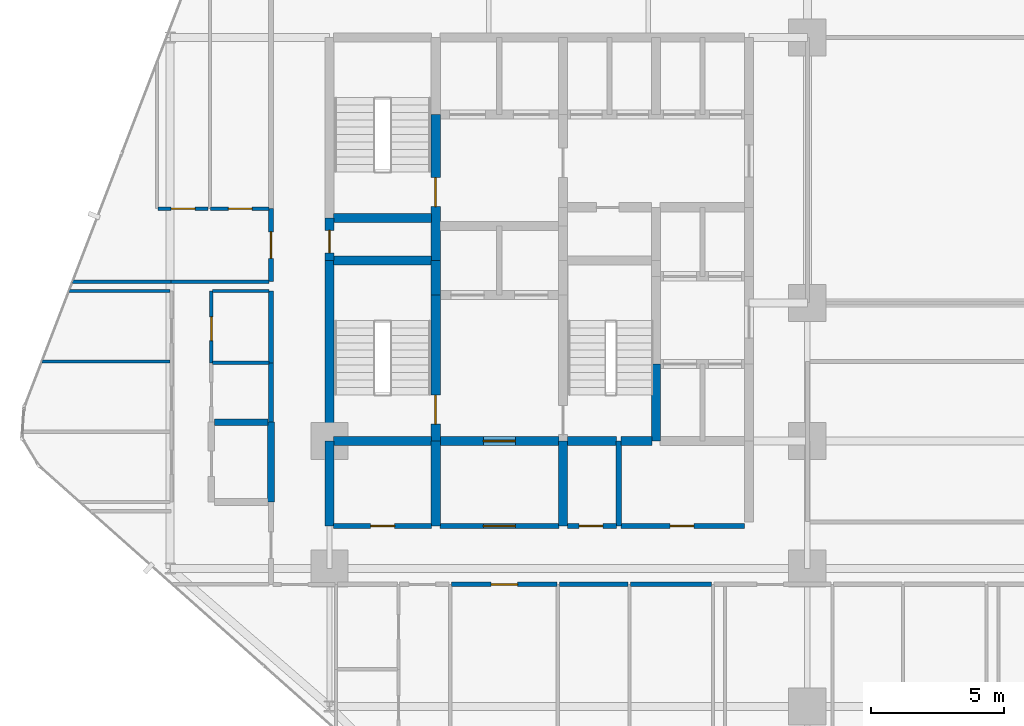
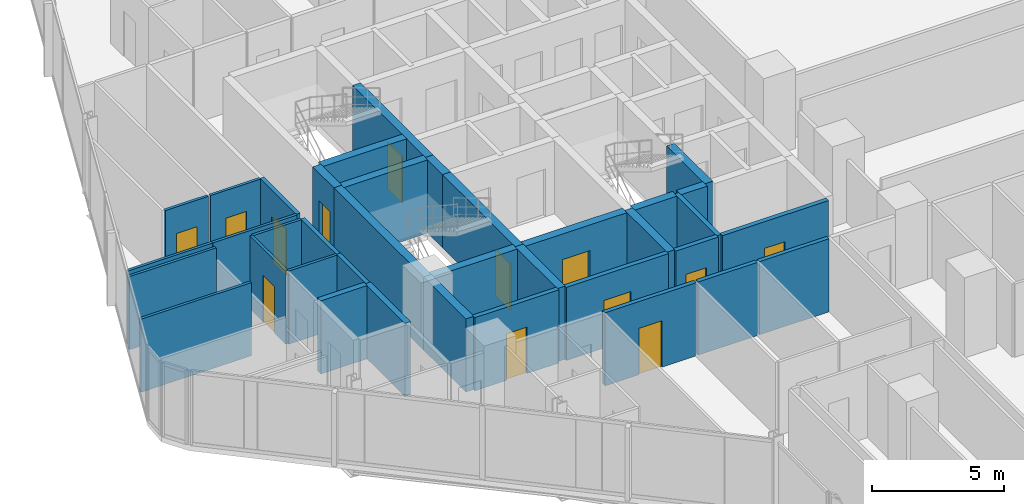
# One storey, part 27 of 34: 37 walls, 13 doors, 13 openings.
"""IFC4 building model written with IfcOpenShell, lengths in metres."""

from ifc_helpers import new_model, si_unit, direction, frame, frame_2d, origin, place, context, subcontext, project, spatial, rectangle, extrude, material, layer, layer_set, type_object, element, fill, save


model = new_model("IFC4")

# Units and contexts
model_context = context("Model", 3, precision=1e-05, world=origin(), true_north=direction((0.0, 1.0)))
body_context = subcontext(model_context, "Body", "Model", "MODEL_VIEW")
ifc_project = project(units=[si_unit("LENGTHUNIT", "METRE"), si_unit("AREAUNIT", "SQUARE_METRE"), si_unit("VOLUMEUNIT", "CUBIC_METRE"), si_unit("PLANEANGLEUNIT", "RADIAN"), si_unit("MASSUNIT", "GRAM", prefix="KILO")], contexts=[model_context])

# Site, building, storey
site_placement = place(None, origin())
site = spatial("IfcSite", under=ifc_project, at=site_placement, CompositionType="ELEMENT")
building_placement = place(site_placement, origin())
building = spatial("IfcBuilding", under=site, at=building_placement, Name="Keshet Zoharim Tower", CompositionType="ELEMENT")
storey_placement = place(building_placement, frame((0.0, 0.0, 31.39990234375)))
storey = spatial("IfcBuildingStorey", under=building, at=storey_placement, Name="L06", CompositionType="ELEMENT", Elevation=31.39990234375)

# Walls
ifc_material_1 = material(Name="Concrete C60/75", Category="concrete")
ifc_layer_1 = layer(ifc_material_1, 0.35009765625)
ifc_layer_set_1 = layer_set([ifc_layer_1], Name="Concrete C60/75")
wall_type_1 = type_object("IfcWallType", Name="WL-CORE-350", PredefinedType="SHEAR", material=ifc_layer_set_1)
wall_1_placement = place(storey_placement, frame((15.0, 19.5, 0.0), z_axis=(0.0, 0.0, 1.0), x_axis=(0.0, 1.0, 0.0)))
element("IfcWall", 1, at=wall_1_placement, inside=storey, type_object=wall_type_1, Name="L06 Core Shear Wall 015", PredefinedType="SHEAR", context=body_context, shape_type="SweptSolid", body=[
    extrude(rectangle(XDim=3.199951171875, YDim=0.35009765625, at=frame_2d((1.60009765625, 0.0))), origin(), (0.0, 0.0, 1.0), 3.385009765625),
])
wall_2_placement = place(storey_placement, frame((15.0, 22.699951171875, 0.0), z_axis=(0.0, 0.0, 1.0), x_axis=(0.0, 1.0, 0.0)))
element("IfcWall", 2, at=wall_2_placement, inside=storey, type_object=wall_type_1, Name="L06 Core Shear Wall 016", PredefinedType="SHEAR", context=body_context, shape_type="SweptSolid", body=[
    extrude(rectangle(XDim=6.800048828125, YDim=0.35009765625, at=frame_2d((3.39990234375, 0.0))), origin(), (0.0, 0.0, 1.0), 3.385009765625),
])

# Wall, opening, door
wall_3_placement = place(storey_placement, frame((15.0, 29.5, 0.0), z_axis=(0.0, 0.0, 1.0), x_axis=(0.0, 1.0, 0.0)))
wall_3 = element("IfcWall", 3, at=wall_3_placement, inside=storey, type_object=wall_type_1, Name="L06 Core Shear Wall 017", PredefinedType="SHEAR", context=body_context, shape_type="SweptSolid", body=[
    extrude(rectangle(XDim=1.60009765625, YDim=0.35009765625, at=frame_2d((0.800048828125, 0.0))), origin(), (0.0, 0.0, 1.0), 3.385009765625),
])
opening_1_placement = place(wall_3_placement, frame((0.287109375, 0.0, 0.0)))
opening_1 = element("IfcOpeningElement", 4, at=opening_1_placement, cuts=wall_3, Name="Opening D-RS85", PredefinedType="OPENING", context=body_context, shape_type="SweptSolid", body=[
    extrude(rectangle(XDim=0.85009765625, YDim=2.10009765625, at=frame_2d((0.425048828125, 1.050048828125))), frame((0.0, 0.18505859375, 0.0), z_axis=(0.0, -1.0, 0.0), x_axis=(1.0, 0.0, 0.0)), (0.0, 0.0, 1.0), 0.3701171875),
])
ifc_material_2 = material(Name="Hardwood Timber", Category="wood")
door_type_1 = type_object("IfcDoorType", Name="DR-RIS-085", OperationType="NOTDEFINED", PredefinedType="DOOR", material=ifc_material_2)
door_1_placement = place(opening_1_placement, origin())
door_1 = element("IfcDoor", 5, at=door_1_placement, inside=storey, type_object=door_type_1, Name="L06 Electrical Riser Access Cupboard Door", OperationType="SINGLE_SWING_RIGHT", OverallHeight=2.10009765625, OverallWidth=0.85009765625, PredefinedType="DOOR", context=body_context, shape_type="SweptSolid", body=[
    extrude(rectangle(XDim=0.85009765625, YDim=2.10009765625, at=frame_2d((0.425048828125, 1.050048828125))), frame((0.0, 0.02490234375, 0.0), z_axis=(0.0, -1.0, 0.0), x_axis=(1.0, 0.0, 0.0)), (0.0, 0.0, 1.0), 0.050048828125),
])
fill(opening_1, door_1)

# Wall
wall_4_placement = place(storey_placement, frame((19.0, 19.5, 0.0), z_axis=(0.0, 0.0, 1.0), x_axis=(0.0, 1.0, 0.0)))
element("IfcWall", 6, at=wall_4_placement, inside=storey, type_object=wall_type_1, Name="L06 Core Shear Wall 025", PredefinedType="SHEAR", context=body_context, shape_type="SweptSolid", body=[
    extrude(rectangle(XDim=3.199951171875, YDim=0.35009765625, at=frame_2d((1.60009765625, 0.0))), origin(), (0.0, 0.0, 1.0), 3.385009765625),
])

# Wall, opening, door
wall_5_placement = place(storey_placement, frame((19.0, 22.699951171875, 0.0), z_axis=(0.0, 0.0, 1.0), x_axis=(0.0, 1.0, 0.0)))
wall_5 = element("IfcWall", 7, at=wall_5_placement, inside=storey, type_object=wall_type_1, Name="L06 Core Shear Wall 026", PredefinedType="SHEAR", context=body_context, shape_type="SweptSolid", body=[
    extrude(rectangle(XDim=5.5, YDim=0.35009765625, at=frame_2d((2.75, 0.0))), origin(), (0.0, 0.0, 1.0), 3.385009765625),
])
opening_2_placement = place(wall_5_placement, frame((0.631103515625, 0.0, 0.0)))
opening_2 = element("IfcOpeningElement", 8, at=opening_2_placement, cuts=wall_5, Name="Opening D-F611", PredefinedType="OPENING", context=body_context, shape_type="SweptSolid", body=[
    extrude(rectangle(XDim=1.10009765625, YDim=2.14990234375, at=frame_2d((0.550048828125, 1.074951171875))), frame((0.0, 0.18505859375, 0.0), z_axis=(0.0, -1.0, 0.0), x_axis=(1.0, 0.0, 0.0)), (0.0, 0.0, 1.0), 0.3701171875),
])
door_type_2 = type_object("IfcDoorType", Name="DR-FD60-110", OperationType="NOTDEFINED", PredefinedType="DOOR", material=ifc_material_2)
door_2_placement = place(opening_2_placement, origin())
door_2 = element("IfcDoor", 9, at=door_2_placement, inside=storey, type_object=door_type_2, Name="L06 Exit Stair ST-01 Fire Door", OperationType="SINGLE_SWING_LEFT", OverallHeight=2.14990234375, OverallWidth=1.10009765625, PredefinedType="DOOR", context=body_context, shape_type="SweptSolid", body=[
    extrude(rectangle(XDim=1.10009765625, YDim=2.14990234375, at=frame_2d((0.550048828125, 1.074951171875))), frame((0.0, 0.02490234375, 0.0), z_axis=(0.0, -1.0, 0.0), x_axis=(1.0, 0.0, 0.0)), (0.0, 0.0, 1.0), 0.050048828125),
])
fill(opening_2, door_2)

# Wall
wall_6_placement = place(storey_placement, frame((19.0, 28.199951171875, 0.0), z_axis=(0.0, 0.0, 1.0), x_axis=(0.0, 1.0, 0.0)))
element("IfcWall", 10, at=wall_6_placement, inside=storey, type_object=wall_type_1, Name="L06 Core Shear Wall 027", PredefinedType="SHEAR", context=body_context, shape_type="SweptSolid", body=[
    extrude(rectangle(XDim=1.300048828125, YDim=0.35009765625, at=frame_2d((0.64990234375, 0.0))), origin(), (0.0, 0.0, 1.0), 3.385009765625),
])

# Wall, opening, door
wall_7_placement = place(storey_placement, frame((19.0, 29.5, 0.0), z_axis=(0.0, 0.0, 1.0), x_axis=(0.0, 1.0, 0.0)))
wall_7 = element("IfcWall", 11, at=wall_7_placement, inside=storey, type_object=wall_type_1, Name="L06 Core Shear Wall 028", PredefinedType="SHEAR", context=body_context, shape_type="SweptSolid", body=[
    extrude(rectangle(XDim=5.5, YDim=0.35009765625, at=frame_2d((2.75, 0.0))), origin(), (0.0, 0.0, 1.0), 3.385009765625),
])
opening_3_placement = place(wall_7_placement, frame((2.02490234375, 0.0, 0.0)))
opening_3 = element("IfcOpeningElement", 12, at=opening_3_placement, cuts=wall_7, Name="Opening D-F611", PredefinedType="OPENING", context=body_context, shape_type="SweptSolid", body=[
    extrude(rectangle(XDim=1.10009765625, YDim=2.14990234375, at=frame_2d((0.550048828125, 1.074951171875))), frame((0.0, 0.18505859375, 0.0), z_axis=(0.0, -1.0, 0.0), x_axis=(1.0, 0.0, 0.0)), (0.0, 0.0, 1.0), 0.3701171875),
])
door_3_placement = place(opening_3_placement, origin())
door_3 = element("IfcDoor", 13, at=door_3_placement, inside=storey, type_object=door_type_2, Name="L06 Exit Stair ST-02 Fire Door", OperationType="SINGLE_SWING_RIGHT", OverallHeight=2.14990234375, OverallWidth=1.10009765625, PredefinedType="DOOR", context=body_context, shape_type="SweptSolid", body=[
    extrude(rectangle(XDim=1.10009765625, YDim=2.14990234375, at=frame_2d((0.550048828125, 1.074951171875))), frame((0.0, 0.02490234375, 0.0), z_axis=(0.0, -1.0, 0.0), x_axis=(1.0, 0.0, 0.0)), (0.0, 0.0, 1.0), 0.050048828125),
])
fill(opening_3, door_3)

# Walls
wall_8_placement = place(storey_placement, frame((23.800048828125, 19.5, 0.0), z_axis=(0.0, 0.0, 1.0), x_axis=(0.0, 1.0, 0.0)))
element("IfcWall", 14, at=wall_8_placement, inside=storey, type_object=wall_type_1, Name="L06 Core Shear Wall 040", PredefinedType="SHEAR", context=body_context, shape_type="SweptSolid", body=[
    extrude(rectangle(XDim=3.199951171875, YDim=0.35009765625, at=frame_2d((1.60009765625, 0.0))), origin(), (0.0, 0.0, 1.0), 3.385009765625),
])
wall_9_placement = place(storey_placement, frame((27.300048828125, 22.699951171875, 0.0), z_axis=(0.0, 0.0, 1.0), x_axis=(0.0, 1.0, 0.0)))
element("IfcWall", 15, at=wall_9_placement, inside=storey, type_object=wall_type_1, Name="L06 Core Shear Wall 051", PredefinedType="SHEAR", context=body_context, shape_type="SweptSolid", body=[
    extrude(rectangle(XDim=2.900146484375, YDim=0.35009765625, at=frame_2d((1.4501953125, 0.0))), origin(), (0.0, 0.0, 1.0), 3.385009765625),
])
wall_10_placement = place(storey_placement, frame((15.159912109375, 22.699951171875, 0.0), z_axis=(0.0, 0.0, 1.0), x_axis=(1.0, 0.0, 0.0)))
element("IfcWall", 16, at=wall_10_placement, inside=storey, type_object=wall_type_1, Name="L06 Core Shear Wall 171", PredefinedType="SHEAR", context=body_context, shape_type="SweptSolid", body=[
    extrude(rectangle(XDim=3.68017578125, YDim=0.35009765625, at=frame_2d((1.840087890625, 0.0))), origin(), (0.0, 0.0, 1.0), 3.385009765625),
])

# Wall, opening, door
wall_11_placement = place(storey_placement, frame((19.159912109375, 22.699951171875, 0.0), z_axis=(0.0, 0.0, 1.0), x_axis=(1.0, 0.0, 0.0)))
wall_11 = element("IfcWall", 17, at=wall_11_placement, inside=storey, type_object=wall_type_1, Name="L06 Core Shear Wall 172", PredefinedType="SHEAR", context=body_context, shape_type="SweptSolid", body=[
    extrude(rectangle(XDim=4.47998046875, YDim=0.35009765625, at=frame_2d((2.239990234375, 0.0))), origin(), (0.0, 0.0, 1.0), 3.385009765625),
])
opening_4_placement = place(wall_11_placement, frame((1.639892578125, 0.0, 0.0)))
opening_4 = element("IfcOpeningElement", 18, at=opening_4_placement, cuts=wall_11, Name="Opening D-F612", PredefinedType="OPENING", context=body_context, shape_type="SweptSolid", body=[
    extrude(rectangle(XDim=1.199951171875, YDim=2.199951171875, at=frame_2d((0.60009765625, 1.10009765625))), frame((0.0, 0.18505859375, 0.0), z_axis=(0.0, -1.0, 0.0), x_axis=(1.0, 0.0, 0.0)), (0.0, 0.0, 1.0), 0.3701171875),
])
door_type_3 = type_object("IfcDoorType", Name="DR-FD60-120", OperationType="NOTDEFINED", PredefinedType="DOOR", material=ifc_material_2)
door_4_placement = place(opening_4_placement, origin())
door_4 = element("IfcDoor", 19, at=door_4_placement, inside=storey, type_object=door_type_3, Name="L06 South Core Lobby Fire Door", OperationType="SINGLE_SWING_RIGHT", OverallHeight=2.199951171875, OverallWidth=1.199951171875, PredefinedType="DOOR", context=body_context, shape_type="SweptSolid", body=[
    extrude(rectangle(XDim=1.199951171875, YDim=2.199951171875, at=frame_2d((0.60009765625, 1.10009765625))), frame((0.0, 0.02490234375, 0.0), z_axis=(0.0, -1.0, 0.0), x_axis=(1.0, 0.0, 0.0)), (0.0, 0.0, 1.0), 0.050048828125),
])
fill(opening_4, door_4)

# Walls
wall_12_placement = place(storey_placement, frame((23.9599609375, 22.699951171875, 0.0), z_axis=(0.0, 0.0, 1.0), x_axis=(1.0, 0.0, 0.0)))
element("IfcWall", 20, at=wall_12_placement, inside=storey, type_object=wall_type_1, Name="L06 Core Shear Wall 173", PredefinedType="SHEAR", context=body_context, shape_type="SweptSolid", body=[
    extrude(rectangle(XDim=1.85498046875, YDim=0.35009765625, at=frame_2d((0.927490234375, 0.0))), origin(), (0.0, 0.0, 1.0), 3.385009765625),
])
wall_13_placement = place(storey_placement, frame((25.985107421875, 22.699951171875, 0.0), z_axis=(0.0, 0.0, 1.0), x_axis=(1.0, 0.0, 0.0)))
element("IfcWall", 21, at=wall_13_placement, inside=storey, type_object=wall_type_1, Name="L06 Core Shear Wall 174", PredefinedType="SHEAR", context=body_context, shape_type="SweptSolid", body=[
    extrude(rectangle(XDim=1.15478515625, YDim=0.35009765625, at=frame_2d((0.577392578125, 0.0))), origin(), (0.0, 0.0, 1.0), 3.385009765625),
])
for number, where, z_axis, x_axis, name in (
    (22, (15.159912109375, 29.5, 0.0), (0.0, 0.0, 1.0), (1.0, 0.0, 0.0), "L06 Core Shear Wall 189"),
    (23, (15.159912109375, 31.10009765625, 0.0), (0.0, 0.0, 1.0), (1.0, 0.0, 0.0), "L06 Core Shear Wall 192"),
):
    element("IfcWall", number, at=place(storey_placement, frame(where, z_axis=z_axis, x_axis=x_axis)), inside=storey, type_object=wall_type_1, Name=name, PredefinedType="SHEAR", context=body_context, shape_type="SweptSolid", body=[
        extrude(rectangle(XDim=3.68017578125, YDim=0.35009765625, at=frame_2d((1.840087890625, 0.0))), origin(), (0.0, 0.0, 1.0), 3.385009765625),
    ])
ifc_material_3 = material(Name="Gypsum Plasterboard", Category="gypsum")
ifc_layer_2 = layer(ifc_material_3, 0.179931640625)
ifc_layer_set_2 = layer_set([ifc_layer_2], Name="Gypsum Plasterboard")
wall_type_2 = type_object("IfcWallType", Name="WL-CORR-180", PredefinedType="STANDARD", material=ifc_layer_set_2)
wall_14_placement = place(storey_placement, frame((12.800048828125, 23.4208984375, 0.0), z_axis=(0.0, 0.0, 1.0), x_axis=(0.0, 1.0, 0.0)))
element("IfcWall", 24, at=wall_14_placement, inside=storey, type_object=wall_type_2, Name="L06 Interior Wall 009", PredefinedType="STANDARD", context=body_context, shape_type="SweptSolid", body=[
    extrude(rectangle(XDim=2.22607421875, YDim=0.179931640625, at=frame_2d((1.113037109375, 0.0))), origin(), (0.0, 0.0, 1.0), 3.385009765625),
])
wall_15_placement = place(storey_placement, frame((12.800048828125, 25.64697265625, 0.0), z_axis=(0.0, 0.0, 1.0), x_axis=(0.0, 1.0, 0.0)))
element("IfcWall", 25, at=wall_15_placement, inside=storey, type_object=wall_type_2, Name="L06 Interior Wall 010", PredefinedType="STANDARD", context=body_context, shape_type="SweptSolid", body=[
    extrude(rectangle(XDim=2.703125, YDim=0.179931640625, at=frame_2d((1.3515625, 0.0))), origin(), (0.0, 0.0, 1.0), 3.385009765625),
])

# Wall, opening, door
wall_16_placement = place(storey_placement, frame((12.800048828125, 28.699951171875, 0.0), z_axis=(0.0, 0.0, 1.0), x_axis=(0.0, 1.0, 0.0)))
wall_16 = element("IfcWall", 26, at=wall_16_placement, inside=storey, type_object=wall_type_2, Name="L06 Interior Wall 011", PredefinedType="STANDARD", context=body_context, shape_type="SweptSolid", body=[
    extrude(rectangle(XDim=2.75, YDim=0.179931640625, at=frame_2d((1.375, 0.0))), origin(), (0.0, 0.0, 1.0), 3.385009765625),
])
opening_5_placement = place(wall_16_placement, frame((0.875, 0.0, 0.0)))
opening_5 = element("IfcOpeningElement", 27, at=opening_5_placement, cuts=wall_16, Name="Opening D-F310", PredefinedType="OPENING", context=body_context, shape_type="SweptSolid", body=[
    extrude(rectangle(XDim=1.0, YDim=2.14990234375, at=frame_2d((0.5, 1.074951171875))), frame((0.0, 0.10009765625, 0.0), z_axis=(0.0, -1.0, 0.0), x_axis=(1.0, 0.0, 0.0)), (0.0, 0.0, 1.0), 0.199951171875),
])
door_type_4 = type_object("IfcDoorType", Name="DR-FD30-100", OperationType="NOTDEFINED", PredefinedType="DOOR", material=ifc_material_2)
door_5_placement = place(opening_5_placement, origin())
door_5 = element("IfcDoor", 28, at=door_5_placement, inside=storey, type_object=door_type_4, Name="Apartment 0612 Entrance Door", OperationType="SINGLE_SWING_LEFT", OverallHeight=2.14990234375, OverallWidth=1.0, PredefinedType="DOOR", context=body_context, shape_type="SweptSolid", body=[
    extrude(rectangle(XDim=1.0, YDim=2.14990234375, at=frame_2d((0.5, 1.074951171875))), frame((0.0, 0.02490234375, 0.0), z_axis=(0.0, -1.0, 0.0), x_axis=(1.0, 0.0, 0.0)), (0.0, 0.0, 1.0), 0.050048828125),
])
fill(opening_5, door_5)

wall_17_placement = place(storey_placement, frame((19.594970703125, 17.300048828125, 0.0), z_axis=(0.0, 0.0, 1.0), x_axis=(1.0, 0.0, 0.0)))
wall_17 = element("IfcWall", 29, at=wall_17_placement, inside=storey, type_object=wall_type_2, Name="L06 Interior Wall 149", PredefinedType="STANDARD", context=body_context, shape_type="SweptSolid", body=[
    extrude(rectangle(XDim=3.97998046875, YDim=0.179931640625, at=frame_2d((1.989990234375, 0.0))), origin(), (0.0, 0.0, 1.0), 3.385009765625),
])
opening_6_placement = place(wall_17_placement, frame((1.489990234375, 0.0, 0.0)))
opening_6 = element("IfcOpeningElement", 30, at=opening_6_placement, cuts=wall_17, Name="Opening D-F310", PredefinedType="OPENING", context=body_context, shape_type="SweptSolid", body=[
    extrude(rectangle(XDim=1.0, YDim=2.14990234375, at=frame_2d((0.5, 1.074951171875))), frame((0.0, 0.10009765625, 0.0), z_axis=(0.0, -1.0, 0.0), x_axis=(1.0, 0.0, 0.0)), (0.0, 0.0, 1.0), 0.199951171875),
])
door_6_placement = place(opening_6_placement, origin())
door_6 = element("IfcDoor", 31, at=door_6_placement, inside=storey, type_object=door_type_4, Name="Apartment 0602 Entrance Door", OperationType="SINGLE_SWING_RIGHT", OverallHeight=2.14990234375, OverallWidth=1.0, PredefinedType="DOOR", context=body_context, shape_type="SweptSolid", body=[
    extrude(rectangle(XDim=1.0, YDim=2.14990234375, at=frame_2d((0.5, 1.074951171875))), frame((0.0, 0.02490234375, 0.0), z_axis=(0.0, -1.0, 0.0), x_axis=(1.0, 0.0, 0.0)), (0.0, 0.0, 1.0), 0.050048828125),
])
fill(opening_6, door_6)

# Walls
wall_18_placement = place(storey_placement, frame((23.6650390625, 17.300048828125, 0.0), z_axis=(0.0, 0.0, 1.0), x_axis=(1.0, 0.0, 0.0)))
element("IfcWall", 32, at=wall_18_placement, inside=storey, type_object=wall_type_2, Name="L06 Interior Wall 150", PredefinedType="STANDARD", context=body_context, shape_type="SweptSolid", body=[
    extrude(rectangle(XDim=2.5869140625, YDim=0.179931640625, at=frame_2d((1.29345703125, 0.0))), origin(), (0.0, 0.0, 1.0), 3.385009765625),
])
wall_19_placement = place(storey_placement, frame((26.342041015625, 17.300048828125, 0.0), z_axis=(0.0, 0.0, 1.0), x_axis=(1.0, 0.0, 0.0)))
element("IfcWall", 33, at=wall_19_placement, inside=storey, type_object=wall_type_2, Name="L06 Interior Wall 151", PredefinedType="STANDARD", context=body_context, shape_type="SweptSolid", body=[
    extrude(rectangle(XDim=3.052978515625, YDim=0.179931640625, at=frame_2d((1.5263671875, 0.0))), origin(), (0.0, 0.0, 1.0), 3.385009765625),
])
ifc_material_4 = material(Name="Concrete C50/60", Category="concrete")
ifc_layer_3 = layer(ifc_material_4, 0.199951171875)
ifc_layer_set_3 = layer_set([ifc_layer_3], Name="Concrete C50/60")
wall_type_3 = type_object("IfcWallType", Name="WL-FIRE-200", PredefinedType="STANDARD", material=ifc_layer_set_3)
wall_20_placement = place(storey_placement, frame((25.89990234375, 19.5, 0.0), z_axis=(0.0, 0.0, 1.0), x_axis=(0.0, 1.0, 0.0)))
element("IfcWall", 34, at=wall_20_placement, inside=storey, type_object=wall_type_3, Name="L06 Interior Wall 048", PredefinedType="STANDARD", context=body_context, shape_type="SweptSolid", body=[
    extrude(rectangle(XDim=3.199951171875, YDim=0.199951171875, at=frame_2d((1.60009765625, 0.0))), origin(), (0.0, 0.0, 1.0), 3.385009765625),
])

# Wall, opening, door
wall_21_placement = place(storey_placement, frame((15.159912109375, 19.5, 0.0), z_axis=(0.0, 0.0, 1.0), x_axis=(1.0, 0.0, 0.0)))
wall_21 = element("IfcWall", 35, at=wall_21_placement, inside=storey, type_object=wall_type_3, Name="L06 Interior Wall 163", PredefinedType="STANDARD", context=body_context, shape_type="SweptSolid", body=[
    extrude(rectangle(XDim=3.68017578125, YDim=0.199951171875, at=frame_2d((1.840087890625, 0.0))), origin(), (0.0, 0.0, 1.0), 3.385009765625),
])
opening_7_placement = place(wall_21_placement, frame((1.389892578125, 0.0, 0.0)))
opening_7 = element("IfcOpeningElement", 36, at=opening_7_placement, cuts=wall_21, Name="Opening D-F690", PredefinedType="OPENING", context=body_context, shape_type="SweptSolid", body=[
    extrude(rectangle(XDim=0.89990234375, YDim=2.14990234375, at=frame_2d((0.449951171875, 1.074951171875))), frame((0.0, 0.10986328125, 0.0), z_axis=(0.0, -1.0, 0.0), x_axis=(1.0, 0.0, 0.0)), (0.0, 0.0, 1.0), 0.219970703125),
])
door_type_5 = type_object("IfcDoorType", Name="DR-FD60-090", OperationType="NOTDEFINED", PredefinedType="DOOR", material=ifc_material_2)
door_7_placement = place(opening_7_placement, origin())
door_7 = element("IfcDoor", 37, at=door_7_placement, inside=storey, type_object=door_type_5, Name="L06 Refuse Room Door", OperationType="SINGLE_SWING_LEFT", OverallHeight=2.14990234375, OverallWidth=0.89990234375, PredefinedType="DOOR", context=body_context, shape_type="SweptSolid", body=[
    extrude(rectangle(XDim=0.89990234375, YDim=2.14990234375, at=frame_2d((0.449951171875, 1.074951171875))), frame((0.0, 0.02490234375, 0.0), z_axis=(0.0, -1.0, 0.0), x_axis=(1.0, 0.0, 0.0)), (0.0, 0.0, 1.0), 0.050048828125),
])
fill(opening_7, door_7)

wall_22_placement = place(storey_placement, frame((19.159912109375, 19.5, 0.0), z_axis=(0.0, 0.0, 1.0), x_axis=(1.0, 0.0, 0.0)))
wall_22 = element("IfcWall", 38, at=wall_22_placement, inside=storey, type_object=wall_type_3, Name="L06 Interior Wall 164", PredefinedType="STANDARD", context=body_context, shape_type="SweptSolid", body=[
    extrude(rectangle(XDim=4.47998046875, YDim=0.199951171875, at=frame_2d((2.239990234375, 0.0))), origin(), (0.0, 0.0, 1.0), 3.385009765625),
])
opening_8_placement = place(wall_22_placement, frame((1.639892578125, 0.0, 0.0)))
opening_8 = element("IfcOpeningElement", 39, at=opening_8_placement, cuts=wall_22, Name="Opening D-F612", PredefinedType="OPENING", context=body_context, shape_type="SweptSolid", body=[
    extrude(rectangle(XDim=1.199951171875, YDim=2.199951171875, at=frame_2d((0.60009765625, 1.10009765625))), frame((0.0, 0.10986328125, 0.0), z_axis=(0.0, -1.0, 0.0), x_axis=(1.0, 0.0, 0.0)), (0.0, 0.0, 1.0), 0.219970703125),
])
door_8_placement = place(opening_8_placement, origin())
door_8 = element("IfcDoor", 40, at=door_8_placement, inside=storey, type_object=door_type_3, Name="L06 South Vestibule Corridor Door", OperationType="SINGLE_SWING_RIGHT", OverallHeight=2.199951171875, OverallWidth=1.199951171875, PredefinedType="DOOR", context=body_context, shape_type="SweptSolid", body=[
    extrude(rectangle(XDim=1.199951171875, YDim=2.199951171875, at=frame_2d((0.60009765625, 1.10009765625))), frame((0.0, 0.02490234375, 0.0), z_axis=(0.0, -1.0, 0.0), x_axis=(1.0, 0.0, 0.0)), (0.0, 0.0, 1.0), 0.050048828125),
])
fill(opening_8, door_8)

wall_23_placement = place(storey_placement, frame((23.9599609375, 19.5, 0.0), z_axis=(0.0, 0.0, 1.0), x_axis=(1.0, 0.0, 0.0)))
wall_23 = element("IfcWall", 41, at=wall_23_placement, inside=storey, type_object=wall_type_3, Name="L06 Interior Wall 165", PredefinedType="STANDARD", context=body_context, shape_type="SweptSolid", body=[
    extrude(rectangle(XDim=1.85498046875, YDim=0.199951171875, at=frame_2d((0.927490234375, 0.0))), origin(), (0.0, 0.0, 1.0), 3.385009765625),
])
opening_9_placement = place(wall_23_placement, frame((0.43994140625, 0.0, 0.0)))
opening_9 = element("IfcOpeningElement", 42, at=opening_9_placement, cuts=wall_23, Name="Opening D-F690", PredefinedType="OPENING", context=body_context, shape_type="SweptSolid", body=[
    extrude(rectangle(XDim=0.89990234375, YDim=2.14990234375, at=frame_2d((0.449951171875, 1.074951171875))), frame((0.0, 0.10986328125, 0.0), z_axis=(0.0, -1.0, 0.0), x_axis=(1.0, 0.0, 0.0)), (0.0, 0.0, 1.0), 0.219970703125),
])
door_9_placement = place(opening_9_placement, origin())
door_9 = element("IfcDoor", 43, at=door_9_placement, inside=storey, type_object=door_type_5, Name="L06 Cleaners Store Door", OperationType="SINGLE_SWING_LEFT", OverallHeight=2.14990234375, OverallWidth=0.89990234375, PredefinedType="DOOR", context=body_context, shape_type="SweptSolid", body=[
    extrude(rectangle(XDim=0.89990234375, YDim=2.14990234375, at=frame_2d((0.449951171875, 1.074951171875))), frame((0.0, 0.02490234375, 0.0), z_axis=(0.0, -1.0, 0.0), x_axis=(1.0, 0.0, 0.0)), (0.0, 0.0, 1.0), 0.050048828125),
])
fill(opening_9, door_9)

wall_24_placement = place(storey_placement, frame((25.985107421875, 19.5, 0.0), z_axis=(0.0, 0.0, 1.0), x_axis=(1.0, 0.0, 0.0)))
wall_24 = element("IfcWall", 44, at=wall_24_placement, inside=storey, type_object=wall_type_3, Name="L06 Interior Wall 166", PredefinedType="STANDARD", context=body_context, shape_type="SweptSolid", body=[
    extrude(rectangle(XDim=4.65478515625, YDim=0.199951171875, at=frame_2d((2.327392578125, 0.0))), origin(), (0.0, 0.0, 1.0), 3.385009765625),
])
opening_10_placement = place(wall_24_placement, frame((1.844970703125, 0.0, 0.0)))
opening_10 = element("IfcOpeningElement", 45, at=opening_10_placement, cuts=wall_24, Name="Opening D-F690", PredefinedType="OPENING", context=body_context, shape_type="SweptSolid", body=[
    extrude(rectangle(XDim=0.89990234375, YDim=2.14990234375, at=frame_2d((0.449951171875, 1.074951171875))), frame((0.0, 0.10986328125, 0.0), z_axis=(0.0, -1.0, 0.0), x_axis=(1.0, 0.0, 0.0)), (0.0, 0.0, 1.0), 0.219970703125),
])
door_10_placement = place(opening_10_placement, origin())
door_10 = element("IfcDoor", 46, at=door_10_placement, inside=storey, type_object=door_type_5, Name="L06 Meter Room Door", OperationType="SINGLE_SWING_RIGHT", OverallHeight=2.14990234375, OverallWidth=0.89990234375, PredefinedType="DOOR", context=body_context, shape_type="SweptSolid", body=[
    extrude(rectangle(XDim=0.89990234375, YDim=2.14990234375, at=frame_2d((0.449951171875, 1.074951171875))), frame((0.0, 0.02490234375, 0.0), z_axis=(0.0, -1.0, 0.0), x_axis=(1.0, 0.0, 0.0)), (0.0, 0.0, 1.0), 0.050048828125),
])
fill(opening_10, door_10)

# Walls
ifc_layer_4 = layer(ifc_material_4, 0.25)
ifc_layer_set_4 = layer_set([ifc_layer_4], Name="Concrete C50/60")
wall_type_4 = type_object("IfcWallType", Name="WL-MAMAD-250", PredefinedType="STANDARD", material=ifc_layer_set_4)
wall_25_placement = place(storey_placement, frame((12.800048828125, 20.39990234375, 0.0), z_axis=(0.0, 0.0, 1.0), x_axis=(0.0, 1.0, 0.0)))
element("IfcWall", 47, at=wall_25_placement, inside=storey, type_object=wall_type_4, Name="L06 Interior Wall 008", PredefinedType="STANDARD", context=body_context, shape_type="SweptSolid", body=[
    extrude(rectangle(XDim=3.02099609375, YDim=0.25, at=frame_2d((1.510498046875, 0.0))), origin(), (0.0, 0.0, 1.0), 3.385009765625),
])
wall_26_placement = place(storey_placement, frame((10.659912109375, 23.39990234375, 0.0), z_axis=(0.0, 0.0, 1.0), x_axis=(1.0, 0.0, 0.0)))
element("IfcWall", 48, at=wall_26_placement, inside=storey, type_object=wall_type_4, Name="L06 Interior Wall 177", PredefinedType="STANDARD", context=body_context, shape_type="SweptSolid", body=[
    extrude(rectangle(XDim=2.030029296875, YDim=0.25, at=frame_2d((1.01513671875, 0.0))), origin(), (0.0, 0.0, 1.0), 3.385009765625),
])

# Wall, opening, door
ifc_layer_5 = layer(ifc_material_3, 0.1201171875)
ifc_layer_set_5 = layer_set([ifc_layer_5], Name="Gypsum Plasterboard")
wall_type_5 = type_object("IfcWallType", Name="WL-PART-120", PredefinedType="PARTITIONING", material=ifc_layer_set_5)
wall_27_placement = place(storey_placement, frame((10.550048828125, 25.64697265625, 0.0), z_axis=(0.0, 0.0, 1.0), x_axis=(0.0, 1.0, 0.0)))
wall_27 = element("IfcWall", 49, at=wall_27_placement, inside=storey, type_object=wall_type_5, Name="L06 Interior Wall 006", PredefinedType="PARTITIONING", context=body_context, shape_type="SweptSolid", body=[
    extrude(rectangle(XDim=2.703125, YDim=0.1201171875, at=frame_2d((1.3515625, 0.0))), origin(), (0.0, 0.0, 1.0), 3.385009765625),
])
opening_11_placement = place(wall_27_placement, frame((0.830078125, 0.0, 0.0)))
opening_11 = element("IfcOpeningElement", 50, at=opening_11_placement, cuts=wall_27, Name="Opening D-IN90", PredefinedType="OPENING", context=body_context, shape_type="SweptSolid", body=[
    extrude(rectangle(XDim=0.89990234375, YDim=2.14990234375, at=frame_2d((0.449951171875, 1.074951171875))), frame((0.0, 0.070068359375, 0.0), z_axis=(0.0, -1.0, 0.0), x_axis=(1.0, 0.0, 0.0)), (0.0, 0.0, 1.0), 0.14013671875),
])
door_type_6 = type_object("IfcDoorType", Name="DR-INT-090", OperationType="NOTDEFINED", PredefinedType="DOOR", material=ifc_material_2)
door_11_placement = place(opening_11_placement, origin())
door_11 = element("IfcDoor", 51, at=door_11_placement, inside=storey, type_object=door_type_6, Name="Apartment 0611 Kitchen Door", OperationType="SINGLE_SWING_LEFT", OverallHeight=2.14990234375, OverallWidth=0.89990234375, PredefinedType="DOOR", context=body_context, shape_type="SweptSolid", body=[
    extrude(rectangle(XDim=0.89990234375, YDim=2.14990234375, at=frame_2d((0.449951171875, 1.074951171875))), frame((0.0, 0.02490234375, 0.0), z_axis=(0.0, -1.0, 0.0), x_axis=(1.0, 0.0, 0.0)), (0.0, 0.0, 1.0), 0.050048828125),
])
fill(opening_11, door_11)

# Walls
wall_28_placement = place(storey_placement, frame((4.1640625, 25.699951171875, 0.0), z_axis=(0.0, 0.0, 1.0), x_axis=(1.0, 0.0, 0.0)))
element("IfcWall", 52, at=wall_28_placement, inside=storey, type_object=wall_type_5, Name="L06 Interior Wall 180", PredefinedType="PARTITIONING", context=body_context, shape_type="SweptSolid", body=[
    extrude(rectangle(XDim=4.821044921875, YDim=0.1201171875, at=frame_2d((2.41064453125, 0.0))), origin(), (0.0, 0.0, 1.0), 3.385009765625),
])
wall_29_placement = place(storey_placement, frame((5.18310546875, 28.35009765625, 0.0), z_axis=(0.0, 0.0, 1.0), x_axis=(1.0, 0.0, 0.0)))
element("IfcWall", 53, at=wall_29_placement, inside=storey, type_object=wall_type_5, Name="L06 Interior Wall 184", PredefinedType="PARTITIONING", context=body_context, shape_type="SweptSolid", body=[
    extrude(rectangle(XDim=3.802001953125, YDim=0.1201171875, at=frame_2d((1.90087890625, 0.0))), origin(), (0.0, 0.0, 1.0), 3.385009765625),
])
wall_30_placement = place(storey_placement, frame((10.594970703125, 28.35009765625, 0.0), z_axis=(0.0, 0.0, 1.0), x_axis=(1.0, 0.0, 0.0)))
element("IfcWall", 54, at=wall_30_placement, inside=storey, type_object=wall_type_5, Name="L06 Interior Wall 185", PredefinedType="PARTITIONING", context=body_context, shape_type="SweptSolid", body=[
    extrude(rectangle(XDim=2.130126953125, YDim=0.1201171875, at=frame_2d((1.06494140625, 0.0))), origin(), (0.0, 0.0, 1.0), 3.385009765625),
])
wall_31_placement = place(storey_placement, frame((5.31689453125, 28.699951171875, 0.0), z_axis=(0.0, 0.0, 1.0), x_axis=(1.0, 0.0, 0.0)))
element("IfcWall", 55, at=wall_31_placement, inside=storey, type_object=wall_type_5, Name="L06 Interior Wall 186", PredefinedType="PARTITIONING", context=body_context, shape_type="SweptSolid", body=[
    extrude(rectangle(XDim=3.713134765625, YDim=0.1201171875, at=frame_2d((1.8564453125, 0.0))), origin(), (0.0, 0.0, 1.0), 3.385009765625),
])
wall_32_placement = place(storey_placement, frame((9.030029296875, 28.699951171875, 0.0), z_axis=(0.0, 0.0, 1.0), x_axis=(1.0, 0.0, 0.0)))
element("IfcWall", 56, at=wall_32_placement, inside=storey, type_object=wall_type_5, Name="L06 Interior Wall 187", PredefinedType="PARTITIONING", context=body_context, shape_type="SweptSolid", body=[
    extrude(rectangle(XDim=3.695068359375, YDim=0.1201171875, at=frame_2d((1.84765625, 0.0))), origin(), (0.0, 0.0, 1.0), 3.385009765625),
])

# Wall, opening, door
wall_33_placement = place(storey_placement, frame((8.544921875, 31.449951171875, 0.0), z_axis=(0.0, 0.0, 1.0), x_axis=(1.0, 0.0, 0.0)))
wall_33 = element("IfcWall", 57, at=wall_33_placement, inside=storey, type_object=wall_type_5, Name="L06 Interior Wall 193", PredefinedType="PARTITIONING", context=body_context, shape_type="SweptSolid", body=[
    extrude(rectangle(XDim=1.88818359375, YDim=0.1201171875, at=frame_2d((0.944091796875, 0.0))), origin(), (0.0, 0.0, 1.0), 3.385009765625),
])
opening_12_placement = place(wall_33_placement, frame((0.493896484375, 0.0, 0.0)))
opening_12 = element("IfcOpeningElement", 58, at=opening_12_placement, cuts=wall_33, Name="Opening D-IN90", PredefinedType="OPENING", context=body_context, shape_type="SweptSolid", body=[
    extrude(rectangle(XDim=0.89990234375, YDim=2.14990234375, at=frame_2d((0.449951171875, 1.074951171875))), frame((0.0, 0.070068359375, 0.0), z_axis=(0.0, -1.0, 0.0), x_axis=(1.0, 0.0, 0.0)), (0.0, 0.0, 1.0), 0.14013671875),
])
door_12_placement = place(opening_12_placement, origin())
door_12 = element("IfcDoor", 59, at=door_12_placement, inside=storey, type_object=door_type_6, Name="Apartment 0612 Kitchen Door", OperationType="SINGLE_SWING_RIGHT", OverallHeight=2.14990234375, OverallWidth=0.89990234375, PredefinedType="DOOR", context=body_context, shape_type="SweptSolid", body=[
    extrude(rectangle(XDim=0.89990234375, YDim=2.14990234375, at=frame_2d((0.449951171875, 1.074951171875))), frame((0.0, 0.02490234375, 0.0), z_axis=(0.0, -1.0, 0.0), x_axis=(1.0, 0.0, 0.0)), (0.0, 0.0, 1.0), 0.050048828125),
])
fill(opening_12, door_12)

# Wall
ifc_layer_6 = layer(ifc_material_3, 0.1201171875)
ifc_layer_set_6 = layer_set([ifc_layer_6], Name="Gypsum Plasterboard")
wall_type_6 = type_object("IfcWallType", Name="WL-WET-120", PredefinedType="PARTITIONING", material=ifc_layer_set_6)
wall_34_placement = place(storey_placement, frame((10.594970703125, 25.64990234375, 0.0), z_axis=(0.0, 0.0, 1.0), x_axis=(1.0, 0.0, 0.0)))
element("IfcWall", 60, at=wall_34_placement, inside=storey, type_object=wall_type_6, Name="L06 Interior Wall 179", PredefinedType="PARTITIONING", context=body_context, shape_type="SweptSolid", body=[
    extrude(rectangle(XDim=2.130126953125, YDim=0.1201171875, at=frame_2d((1.06494140625, 0.0))), origin(), (0.0, 0.0, 1.0), 3.385009765625),
])

# Wall, opening, door
wall_35_placement = place(storey_placement, frame((10.52294921875, 31.449951171875, 0.0), z_axis=(0.0, 0.0, 1.0), x_axis=(1.0, 0.0, 0.0)))
wall_35 = element("IfcWall", 61, at=wall_35_placement, inside=storey, type_object=wall_type_6, Name="L06 Interior Wall 194", PredefinedType="PARTITIONING", context=body_context, shape_type="SweptSolid", body=[
    extrude(rectangle(XDim=2.2021484375, YDim=0.1201171875, at=frame_2d((1.10107421875, 0.0))), origin(), (0.0, 0.0, 1.0), 3.385009765625),
])
opening_13_placement = place(wall_35_placement, frame((0.666015625, 0.0, 0.0)))
opening_13 = element("IfcOpeningElement", 62, at=opening_13_placement, cuts=wall_35, Name="Opening D-WT90", PredefinedType="OPENING", context=body_context, shape_type="SweptSolid", body=[
    extrude(rectangle(XDim=0.89990234375, YDim=2.10009765625, at=frame_2d((0.449951171875, 1.050048828125))), frame((0.0, 0.070068359375, 0.0), z_axis=(0.0, -1.0, 0.0), x_axis=(1.0, 0.0, 0.0)), (0.0, 0.0, 1.0), 0.14013671875),
])
door_type_7 = type_object("IfcDoorType", Name="DR-WET-090", OperationType="NOTDEFINED", PredefinedType="DOOR", material=ifc_material_2)
door_13_placement = place(opening_13_placement, origin())
door_13 = element("IfcDoor", 63, at=door_13_placement, inside=storey, type_object=door_type_7, Name="Apartment 0612 Bathroom Door", OperationType="SINGLE_SWING_LEFT", OverallHeight=2.10009765625, OverallWidth=0.89990234375, PredefinedType="DOOR", context=body_context, shape_type="SweptSolid", body=[
    extrude(rectangle(XDim=0.89990234375, YDim=2.10009765625, at=frame_2d((0.449951171875, 1.050048828125))), frame((0.0, 0.02490234375, 0.0), z_axis=(0.0, -1.0, 0.0), x_axis=(1.0, 0.0, 0.0)), (0.0, 0.0, 1.0), 0.050048828125),
])
fill(opening_13, door_13)

save(model, "model.ifc")
